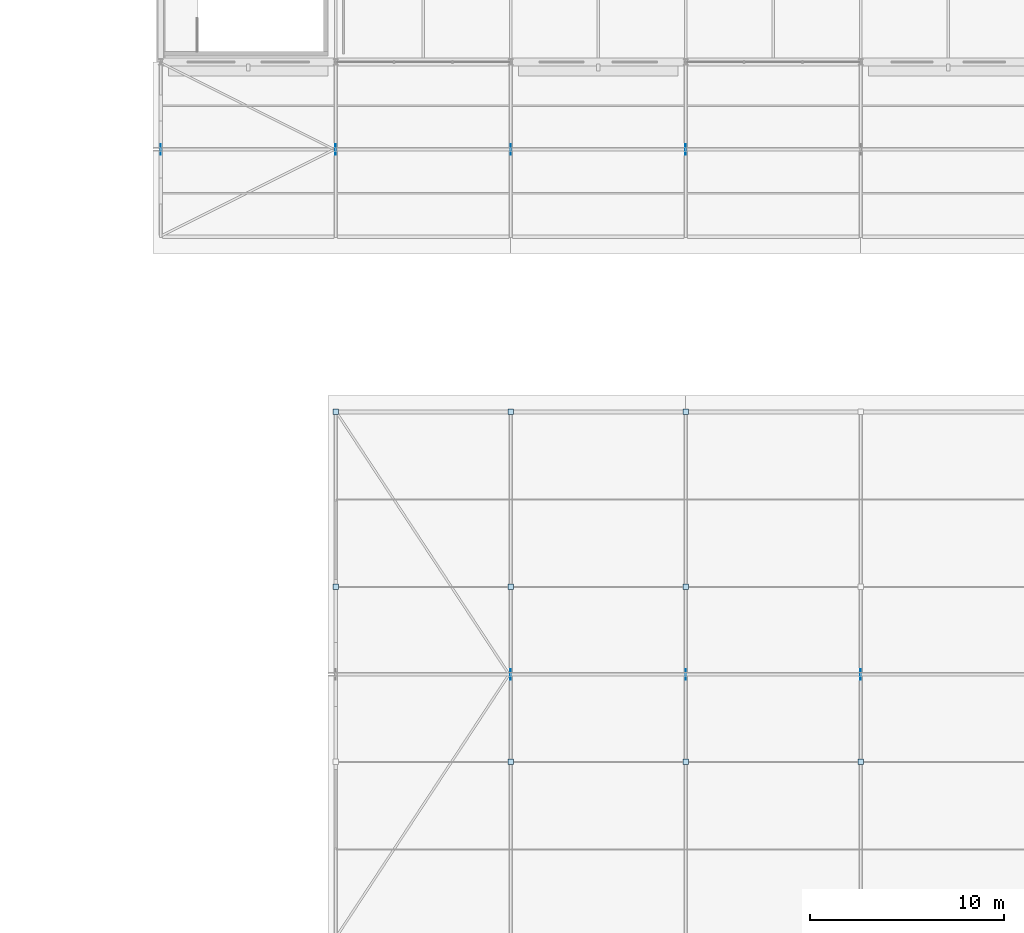
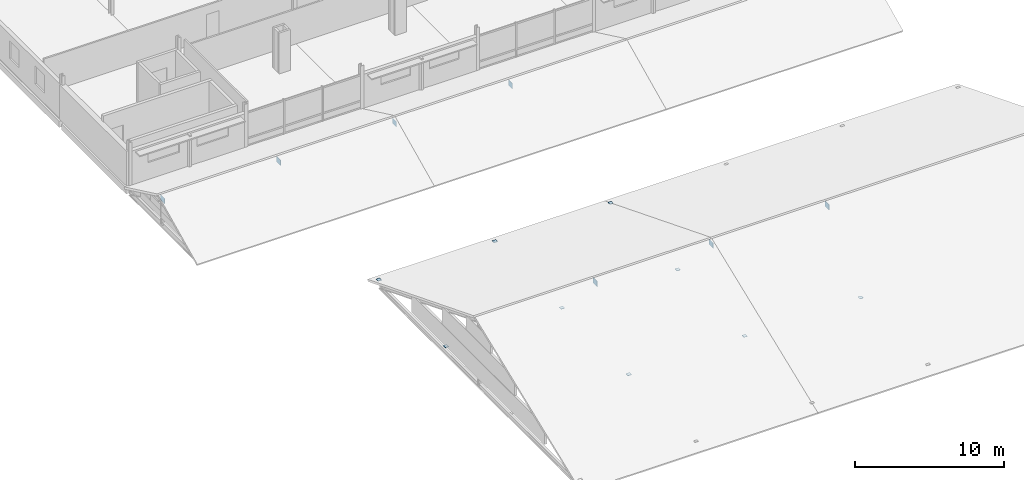
# One storey, part 99 of 132: 16 plates.
"""IFC4 building model written with IfcOpenShell, lengths in metres."""

import ifcopenshell
import ifcopenshell.guid

model = None  # the IFC model being written
_history = None  # IfcOwnerHistory: only IFC2X3 demands one
_inside = {}  # id of a spatial element -> (the spatial element, [elements in it])
_under = {}  # id of a project, library or spatial element -> (it, [spatial elements below it])
_declared = {}  # id of a project -> (the project, [libraries it declares])
_typed = {}  # id of a type object -> (the type object, [elements of that type])
_made_of = {}  # id of a material, layer set ... -> (it, [elements and type objects made of it])


def new_model(schema):
    """Start an empty IFC model of exactly this schema.

    Asked for "IFC4X3", IfcOpenShell would pick the latest addendum, in which some entities
    have other attributes; the version numbers below select the first issue.
    IFC2X3 requires an IfcOwnerHistory on every rooted entity: one is made here for all.
    """
    global model, _history
    if schema == "IFC4X3":
        model = ifcopenshell.file(schema_version=(4, 3, 0, 0))
    else:
        model = ifcopenshell.file(schema=schema)
    _inside.clear()
    _under.clear()
    _declared.clear()
    _typed.clear()
    _made_of.clear()
    _history = None
    if model.schema == "IFC2X3":
        org = make("IfcOrganization", Name="unknown")
        user = make(
            "IfcPersonAndOrganization",
            ThePerson=make("IfcPerson", FamilyName="unknown"),
            TheOrganization=org,
        )
        app = make(
            "IfcApplication",
            ApplicationDeveloper=org,
            Version="unknown",
            ApplicationFullName="unknown",
            ApplicationIdentifier="unknown",
        )
        _history = make(
            "IfcOwnerHistory",
            OwningUser=user,
            OwningApplication=app,
            ChangeAction="ADDED",
            CreationDate=0,
        )
    return model


def make(cls, **values):
    """One entity of the class cls with the attributes given. An attribute that is None is left unset."""
    return model.create_entity(
        cls, **{name: value for name, value in values.items() if value is not None}
    )


def rooted(cls, **values):
    """An entity with a GlobalId (a new one), such as an element, a storey or a relation."""
    return make(cls, GlobalId=ifcopenshell.guid.new(), OwnerHistory=_history, **values)


def si_unit(unit_type, name, prefix=None):
    """IfcSIUnit, for example si_unit("LENGTHUNIT", "METRE", prefix="MILLI")."""
    return make("IfcSIUnit", UnitType=unit_type, Prefix=prefix, Name=name)


def assignment(units):
    """IfcUnitAssignment: the units of a project."""
    return None if units is None else make("IfcUnitAssignment", Units=units)


def point(xyz):
    """IfcCartesianPoint."""
    return None if xyz is None else make("IfcCartesianPoint", Coordinates=xyz)


def direction(xyz):
    """IfcDirection."""
    return None if xyz is None else make("IfcDirection", DirectionRatios=xyz)


def frame(location, z_axis=None, x_axis=None):
    """IfcAxis2Placement3D, a coordinate frame: its origin and axes. An axis left out is left unset."""
    return make(
        "IfcAxis2Placement3D",
        Location=point(location),
        Axis=direction(z_axis),
        RefDirection=direction(x_axis),
    )


def frame_2d(location, x_axis=None):
    """IfcAxis2Placement2D, a coordinate frame in the plane: its origin and x axis."""
    return make(
        "IfcAxis2Placement2D", Location=point(location), RefDirection=direction(x_axis)
    )


def origin():
    """The frame at (0, 0, 0) with its axes left unset."""
    return frame((0.0, 0.0, 0.0))


def origin_2d():
    """The frame at (0, 0) in the plane with its x axis left unset."""
    return frame_2d((0.0, 0.0))


def place(relative_to, where):
    """IfcLocalPlacement: puts the frame where relative to a parent placement (None: the world)."""
    return make(
        "IfcLocalPlacement", PlacementRelTo=relative_to, RelativePlacement=where
    )


def context(
    kind, dimensions, precision=None, world=None, true_north=None, identifier=None
):
    """IfcGeometricRepresentationContext, for example the 3D "Model" context."""
    return make(
        "IfcGeometricRepresentationContext",
        ContextIdentifier=identifier,
        ContextType=kind,
        CoordinateSpaceDimension=dimensions,
        Precision=precision,
        WorldCoordinateSystem=world,
        TrueNorth=true_north,
    )


def subcontext(parent, identifier, kind, view, scale=None):
    """IfcGeometricRepresentationSubContext, for example "Body" below "Model"."""
    return make(
        "IfcGeometricRepresentationSubContext",
        ContextIdentifier=identifier,
        ContextType=kind,
        ParentContext=parent,
        TargetScale=scale,
        TargetView=view,
    )


def project(units=None, contexts=None):
    """IfcProject with its units and contexts."""
    return rooted(
        "IfcProject",
        Name="project",
        RepresentationContexts=contexts,
        UnitsInContext=assignment(units),
    )


def spatial(cls, under=None, at=None, **own):
    """A site, building, storey or space (cls), placed at a placement, below another one or the project."""
    s = rooted(cls, ObjectPlacement=at, **own)
    if under is not None:
        _under.setdefault(under.id(), (under, []))[1].append(s)
    return s


def profile(cls, at=None, kind="AREA", **sizes):
    """A parametric profile (cls). Its sizes go by their IFC names, for example OverallWidth=200.0."""
    return make(cls, ProfileType=kind, Position=at, **sizes)


def rectangle(**sizes):
    """IfcRectangleProfileDef."""
    return profile("IfcRectangleProfileDef", **sizes)


def extrude(swept, where, along, depth):
    """IfcExtrudedAreaSolid: the profile swept, set in the frame where, extruded along a direction by depth."""
    return make(
        "IfcExtrudedAreaSolid",
        SweptArea=swept,
        Position=where,
        ExtrudedDirection=direction(along),
        Depth=depth,
    )


def shape(context_of_items, identifier, shape_type, items):
    """IfcShapeRepresentation: the items that make up one representation, for example the "Body"."""
    return make(
        "IfcShapeRepresentation",
        ContextOfItems=context_of_items,
        RepresentationIdentifier=identifier,
        RepresentationType=shape_type,
        Items=items,
    )


def material(Name=None, Category=None):
    """IfcMaterial."""
    return make("IfcMaterial", Name=Name, Category=Category)


def layer(
    of_material, thickness, ventilated=None, Name=None, Category=None, Priority=None
):
    """IfcMaterialLayer: one layer of a wall or slab, of a material (None: an air gap)."""
    return make(
        "IfcMaterialLayer",
        Material=of_material,
        LayerThickness=thickness,
        IsVentilated=ventilated,
        Name=Name,
        Category=Category,
        Priority=Priority,
    )


def layer_set(layers, Name=None):
    """IfcMaterialLayerSet."""
    return make("IfcMaterialLayerSet", MaterialLayers=layers, LayerSetName=Name)


def made_of(thing, what):
    """Note that an element or type object is made of a material, layer set ...; save() writes the relation."""
    if what is not None:
        _made_of.setdefault(what.id(), (what, []))[1].append(thing)
    return thing


def type_object(cls, material=None, **own):
    """A type object (cls), such as IfcWallType, which elements share."""
    return made_of(rooted(cls, **own), material)


def element(
    cls,
    number,
    at=None,
    inside=None,
    cuts=None,
    type_object=None,
    material=None,
    context=None,
    identifier="Body",
    shape_type=None,
    held_by="IfcProductDefinitionShape",
    body=None,
    shapes=None,
    **own,
):
    """One element of the class cls, such as IfcWall. Its Tag is "e" and its number.

    at: its placement. inside: the storey or other place that contains it. cuts: it is an
    opening in that element (IfcRelVoidsElement). A single representation is given by context,
    identifier, shape_type and body (its items); several are given by shapes. held_by: the class
    of the entity that holds the representations. save() writes the other relations.
    """
    e = rooted(cls, Tag="e%d" % number, ObjectPlacement=at, **own)
    if body is not None:
        shapes = [shape(context, identifier, shape_type, body)]
    if shapes is not None:
        e.Representation = make(held_by, Representations=shapes)
    if inside is not None:
        _inside.setdefault(inside.id(), (inside, []))[1].append(e)
    if cuts is not None:
        rooted(
            "IfcRelVoidsElement", RelatingBuildingElement=cuts, RelatedOpeningElement=e
        )
    if type_object is not None:
        _typed.setdefault(type_object.id(), (type_object, []))[1].append(e)
    return made_of(e, material)


def aggregate(whole, parts):
    """IfcRelAggregates: a whole, such as a stair, and the parts it consists of."""
    return rooted("IfcRelAggregates", RelatingObject=whole, RelatedObjects=parts)


def save(model, path):
    """Write the relations noted so far, then the file.

    IfcRelAggregates (storeys below a building ...), IfcRelContainedInSpatialStructure (elements
    in a storey), IfcRelDefinesByType, IfcRelAssociatesMaterial and IfcRelDeclares: one each for
    every whole, place, type object, material and project.
    """
    for whole, parts in _under.values():
        aggregate(whole, parts)
    for where, things in _inside.values():
        rooted(
            "IfcRelContainedInSpatialStructure",
            RelatedElements=things,
            RelatingStructure=where,
        )
    for kind, things in _typed.values():
        rooted("IfcRelDefinesByType", RelatedObjects=things, RelatingType=kind)
    for what, things in _made_of.values():
        rooted("IfcRelAssociatesMaterial", RelatedObjects=things, RelatingMaterial=what)
    for by, libraries in _declared.values():
        rooted("IfcRelDeclares", RelatingContext=by, RelatedDefinitions=libraries)
    model.write(path)


model = new_model("IFC4")

# Units and contexts
model_context = context("Model", 3, precision=1e-05, world=origin(), true_north=direction((0.0, 1.0)))
body_context = subcontext(model_context, "Body", "Model", "MODEL_VIEW")
ifc_project = project(units=[si_unit("LENGTHUNIT", "METRE"), si_unit("AREAUNIT", "SQUARE_METRE"), si_unit("VOLUMEUNIT", "CUBIC_METRE"), si_unit("PLANEANGLEUNIT", "RADIAN"), si_unit("MASSUNIT", "GRAM", prefix="KILO")], contexts=[model_context])

# Site, building, storey
site_placement = place(None, origin())
site = spatial("IfcSite", under=ifc_project, at=site_placement, CompositionType="ELEMENT")
building_placement = place(site_placement, origin())
building = spatial("IfcBuilding", under=site, at=building_placement, Name="Tharagai Park Tramway Depot", CompositionType="ELEMENT")
storey_placement = place(building_placement, frame((0.0, 0.0, 4.800048828125)))
storey = spatial("IfcBuildingStorey", under=building, at=storey_placement, Name="L01", CompositionType="ELEMENT", Elevation=4.800048828125)

# Plates
ifc_material = material(Name="Steel E350", Category="steel")
ifc_layer_1 = layer(ifc_material, 0.02392578125)
ifc_layer_set_1 = layer_set([ifc_layer_1], Name="Steel E350")
plate_type_1 = type_object("IfcPlateType", Name="GP-01", PredefinedType="SHEET", material=ifc_layer_set_1)
for number, where, z_axis, x_axis, name in (
    (1, (171.0, 72.0, -0.008056640625), (0.0, 0.0, 1.0), (1.0, 0.0, 0.0), "Column Top Cap Plate GP-01 (171,72)"),
    (2, (171.0, 81.0, -0.008056640625), (0.0, 0.0, 1.0), (1.0, 0.0, 0.0), "Column Top Cap Plate GP-01 (171,81)"),
    (3, (180.0, 63.0, -0.008056640625), (0.0, 0.0, 1.0), (1.0, 0.0, 0.0), "Column Top Cap Plate GP-01 (180,63)"),
    (4, (180.0, 72.0, -0.008056640625), (0.0, 0.0, 1.0), (1.0, 0.0, 0.0), "Column Top Cap Plate GP-01 (180,72)"),
    (5, (180.0, 81.0, -0.008056640625), (0.0, 0.0, 1.0), (1.0, 0.0, 0.0), "Column Top Cap Plate GP-01 (180,81)"),
    (6, (189.0, 63.0, -0.008056640625), (0.0, 0.0, 1.0), (1.0, 0.0, 0.0), "Column Top Cap Plate GP-01 (189,63)"),
    (7, (189.0, 72.0, -0.008056640625), (0.0, 0.0, 1.0), (1.0, 0.0, 0.0), "Column Top Cap Plate GP-01 (189,72)"),
    (8, (189.0, 81.0, -0.008056640625), (0.0, 0.0, 1.0), (1.0, 0.0, 0.0), "Column Top Cap Plate GP-01 (189,81)"),
    (9, (198.0, 63.0, -0.008056640625), (0.0, 0.0, 1.0), (1.0, 0.0, 0.0), "Column Top Cap Plate GP-01 (198,63)"),
):
    element("IfcPlate", number, at=place(storey_placement, frame(where, z_axis=z_axis, x_axis=x_axis)), inside=storey, type_object=plate_type_1, Name=name, PredefinedType="SHEET", context=body_context, shape_type="SweptSolid", body=[
        extrude(rectangle(XDim=0.280029296875, YDim=0.280029296875, at=origin_2d()), origin(), (0.0, 0.0, 1.0), 0.02392578125),
    ])
ifc_layer_2 = layer(ifc_material, 0.02392578125)
ifc_layer_set_2 = layer_set([ifc_layer_2], Name="Steel E350")
plate_type_2 = type_object("IfcPlateType", Name="GP-02", PredefinedType="SHEET", material=ifc_layer_set_2)
for number, where, z_axis, x_axis, name in (
    (10, (171.0, 94.5, 1.3408203125), (0.0, 0.0, 1.0), (1.0, 0.0, 0.0), "V3A Ridge Gusset Plate GP-02"),
    (11, (189.0, 94.5, 1.3408203125), (0.0, 0.0, 1.0), (1.0, 0.0, 0.0), "V3A Ridge Gusset Plate GP-02"),
    (12, (180.0, 67.5, 4.615234375), (0.0, 0.0, 1.0), (1.0, 0.0, 0.0), "V6 Ridge Gusset Plate GP-02"),
    (13, (198.0, 67.5, 4.615234375), (0.0, 0.0, 1.0), (1.0, 0.0, 0.0), "V6 Ridge Gusset Plate GP-02"),
):
    element("IfcPlate", number, at=place(storey_placement, frame(where, z_axis=z_axis, x_axis=x_axis)), inside=storey, type_object=plate_type_2, Name=name, PredefinedType="SHEET", context=body_context, shape_type="SweptSolid", body=[
        extrude(rectangle(XDim=0.02392578125, YDim=0.550048828125, at=origin_2d()), origin(), (0.0, 0.0, 1.0), 0.449951171875),
    ])
ifc_layer_3 = layer(ifc_material, 0.01611328125)
ifc_layer_set_3 = layer_set([ifc_layer_3], Name="Steel E350")
plate_type_3 = type_object("IfcPlateType", Name="GP-03", PredefinedType="SHEET", material=ifc_layer_set_3)
for number, where, z_axis, x_axis, name in (
    (14, (162.0, 94.5, 1.3408203125), (0.0, 0.0, 1.0), (1.0, 0.0, 0.0), "V3A Ridge Gusset Plate GP-03"),
    (15, (180.0, 94.5, 1.3408203125), (0.0, 0.0, 1.0), (1.0, 0.0, 0.0), "V3A Ridge Gusset Plate GP-03"),
    (16, (189.0, 67.5, 4.615234375), (0.0, 0.0, 1.0), (1.0, 0.0, 0.0), "V6 Ridge Gusset Plate GP-03"),
):
    element("IfcPlate", number, at=place(storey_placement, frame(where, z_axis=z_axis, x_axis=x_axis)), inside=storey, type_object=plate_type_3, Name=name, PredefinedType="SHEET", context=body_context, shape_type="SweptSolid", body=[
        extrude(rectangle(XDim=0.01611328125, YDim=0.550048828125, at=origin_2d()), origin(), (0.0, 0.0, 1.0), 0.449951171875),
    ])

save(model, "model.ifc")
